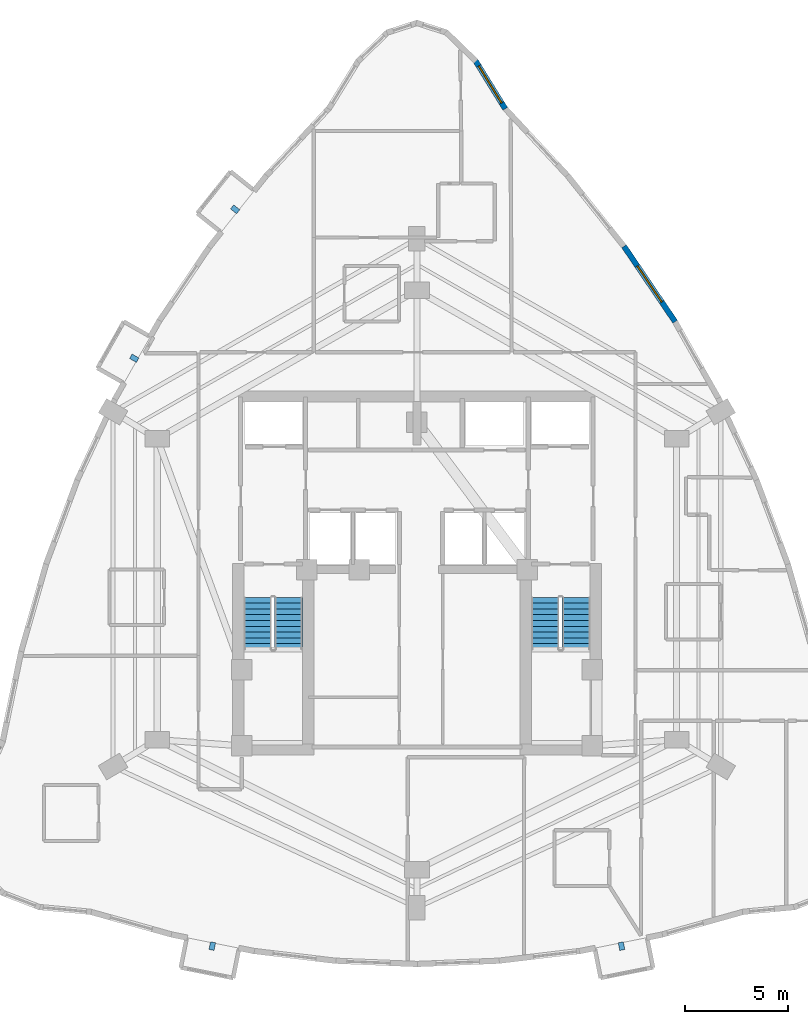
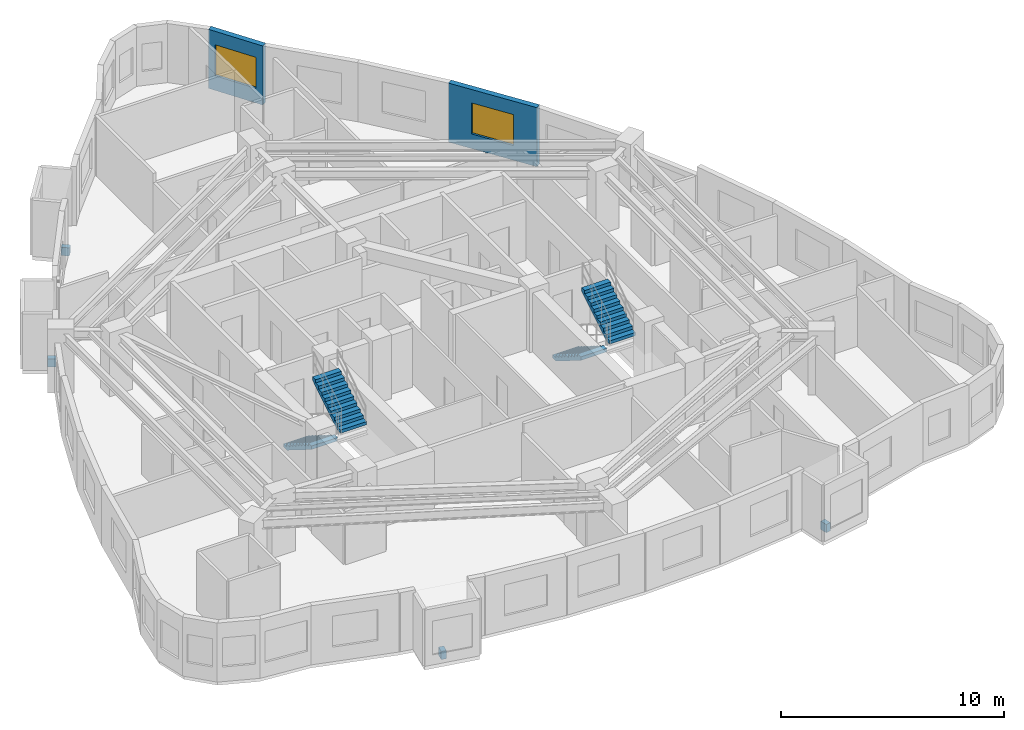
# One storey, part 11 of 12: 4 discrete accessories, 4 stair flights, 2 walls, 2 windows, 2 openings, 2 elements without a shape of their own.
"""IFC4 building model written with IfcOpenShell, lengths in metres."""

from ifc_helpers import new_model, si_unit, direction, frame, frame_2d, origin, origin_2d, place, context, subcontext, project, spatial, polyline, rectangle, outline, extrude, material, layer, layer_set, type_object, element, fill, aggregate, save


model = new_model("IFC4")

# Units and contexts
model_context = context("Model", 3, precision=1e-05, world=origin(), true_north=direction((0.0, 1.0)))
body_context = subcontext(model_context, "Body", "Model", "MODEL_VIEW")
ifc_project = project(units=[si_unit("LENGTHUNIT", "METRE"), si_unit("AREAUNIT", "SQUARE_METRE"), si_unit("VOLUMEUNIT", "CUBIC_METRE"), si_unit("PLANEANGLEUNIT", "RADIAN"), si_unit("MASSUNIT", "GRAM", prefix="KILO")], contexts=[model_context])

# Site, building, storey
site_placement = place(None, origin())
site = spatial("IfcSite", under=ifc_project, at=site_placement, CompositionType="ELEMENT")
building_placement = place(site_placement, origin())
building = spatial("IfcBuilding", under=site, at=building_placement, Name="Miruveldt Soraemaru", CompositionType="ELEMENT")
storey_placement = place(building_placement, frame((0.0, 0.0, 145.89990234375)))
storey = spatial("IfcBuildingStorey", under=building, at=storey_placement, Name="L40", CompositionType="ELEMENT", Elevation=145.89990234375)

# Wall, opening, window
ifc_material_1 = material(Name="Precast concrete C45/55 (45 MPa)", Category="concrete")
ifc_layer = layer(ifc_material_1, 0.27001953125, Name="Precast concrete C45/55 (45 MPa)", Category="concrete")
ifc_layer_set = layer_set([ifc_layer], Name="Precast concrete C45/55 (45 MPa)")
wall_type = type_object("IfcWallType", Name="WALL-EXT-PC270", PredefinedType="SOLIDWALL", material=ifc_layer_set)
wall_1_placement = place(storey_placement, frame((48.284912109375, 66.40576171875, 0.0), z_axis=(0.0, 0.0, 1.0), x_axis=(-0.526060624403, 0.850447070341, 0.0)))
wall_1 = element("IfcWall", 1, at=wall_1_placement, inside=storey, type_object=wall_type, Name="L40 Precast Concrete Facade Wall 1", PredefinedType="SOLIDWALL", context=body_context, shape_type="SweptSolid", body=[
    extrude(rectangle(XDim=2.7734375, YDim=0.27001953125, at=frame_2d((1.38671875, 0.0))), origin(), (0.0, 0.0, 1.0), 3.235107421875),
])
opening_1_placement = place(wall_1_placement, frame((0.3369140625, 0.0, 0.800048828125)))
opening_1 = element("IfcOpeningElement", 2, at=opening_1_placement, cuts=wall_1, Name="Opening WN-1", PredefinedType="OPENING", context=body_context, shape_type="SweptSolid", body=[
    extrude(rectangle(XDim=2.10009765625, YDim=1.699951171875, at=frame_2d((1.050048828125, 0.85009765625))), frame((0.0, 0.14501953125, 0.0), z_axis=(0.0, -1.0, 0.0), x_axis=(1.0, 0.0, 0.0)), (0.0, 0.0, 1.0), 0.2900390625),
])
ifc_material_2 = material(Name="Triple low-e insulated glazing", Category="glass")
window_type = type_object("IfcWindowType", Name="WIN-PUNCH-2100x1700", PartitioningType="SINGLE_PANEL", PredefinedType="WINDOW", material=ifc_material_2)
window_1_placement = place(opening_1_placement, origin())
window_1 = element("IfcWindow", 3, at=window_1_placement, inside=storey, type_object=window_type, Name="L40 Punched Triple-Glazed Window 01.1", OverallHeight=1.699951171875, OverallWidth=2.10009765625, PartitioningType="SINGLE_PANEL", PredefinedType="WINDOW", context=body_context, shape_type="SweptSolid", body=[
    extrude(rectangle(XDim=2.10009765625, YDim=1.699951171875, at=frame_2d((1.050048828125, 0.85009765625))), frame((0.0, 0.030029296875, 0.0), z_axis=(0.0, -1.0, 0.0), x_axis=(1.0, 0.0, 0.0)), (0.0, 0.0, 1.0), 0.06005859375),
])
fill(opening_1, window_1)

wall_2_placement = place(storey_placement, frame((56.52734375, 56.075927734375, 0.0), z_axis=(0.0, 0.0, 1.0), x_axis=(-0.560840818174, 0.82792365389, 0.0)))
wall_2 = element("IfcWall", 4, at=wall_2_placement, inside=storey, type_object=wall_type, Name="L40 Precast Concrete Facade Wall 40", PredefinedType="SOLIDWALL", context=body_context, shape_type="SweptSolid", body=[
    extrude(rectangle(XDim=4.420654296875, YDim=0.27001953125, at=frame_2d((2.21044921875, 0.0))), origin(), (0.0, 0.0, 1.0), 3.235107421875),
])
opening_2_placement = place(wall_2_placement, frame((1.159912109375, 0.0, 0.800048828125)))
opening_2 = element("IfcOpeningElement", 5, at=opening_2_placement, cuts=wall_2, Name="Opening WN-1", PredefinedType="OPENING", context=body_context, shape_type="SweptSolid", body=[
    extrude(rectangle(XDim=2.10009765625, YDim=1.699951171875, at=frame_2d((1.050048828125, 0.85009765625))), frame((0.0, 0.14501953125, 0.0), z_axis=(0.0, -1.0, 0.0), x_axis=(1.0, 0.0, 0.0)), (0.0, 0.0, 1.0), 0.2900390625),
])
window_2_placement = place(opening_2_placement, origin())
window_2 = element("IfcWindow", 6, at=window_2_placement, inside=storey, type_object=window_type, Name="L40 Punched Triple-Glazed Window 40.1", OverallHeight=1.699951171875, OverallWidth=2.10009765625, PartitioningType="SINGLE_PANEL", PredefinedType="WINDOW", context=body_context, shape_type="SweptSolid", body=[
    extrude(rectangle(XDim=2.10009765625, YDim=1.699951171875, at=frame_2d((1.050048828125, 0.85009765625))), frame((0.0, 0.030029296875, 0.0), z_axis=(0.0, -1.0, 0.0), x_axis=(1.0, 0.0, 0.0)), (0.0, 0.0, 1.0), 0.06005859375),
])
fill(opening_2, window_2)

# Stair, stair flights
ifc_material_3 = material(Name="Concrete C40/50 (40 MPa)", Category="concrete")
stair_type = type_object("IfcStairType", Name="STAIR-DL-350", PredefinedType="HALF_TURN_STAIR", material=ifc_material_3)
stair_1_placement = place(storey_placement, origin())
stair_1 = element("IfcStair", 7, at=stair_1_placement, inside=storey, type_object=stair_type, Name="L40 Protected Exit Stair ST-1", PredefinedType="HALF_TURN_STAIR")
stair_flight_type = type_object("IfcStairFlightType", Name="SFL-DL-350", PredefinedType="STRAIGHT", material=ifc_material_3)
stair_flight_1_placement = place(storey_placement, frame((36.27490234375, 42.699951171875, 0.0), z_axis=(0.0, 0.0, 1.0), x_axis=(0.0, -1.0, 0.0)))
stair_flight_1 = element("IfcStairFlight", 8, at=stair_flight_1_placement, type_object=stair_flight_type, Name="ST-1 flight 1", NumberOfRisers=10, NumberOfTreads=9, PredefinedType="STRAIGHT", RiserHeight=0.175, TreadLength=0.28, context=body_context, shape_type="SweptSolid", body=[
    extrude(outline(polyline([(0.0, 0.0), (0.0, 0.175048828125), (0.280029296875, 0.175048828125), (0.280029296875, 0.35009765625), (0.56005859375, 0.35009765625), (0.56005859375, 0.52490234375), (0.840087890625, 0.52490234375), (0.840087890625, 0.699951171875), (1.1201171875, 0.699951171875), (1.1201171875, 0.875), (1.39990234375, 0.875), (1.39990234375, 1.050048828125), (1.679931640625, 1.050048828125), (1.679931640625, 1.22509765625), (1.9599609375, 1.22509765625), (1.9599609375, 1.39990234375), (2.239990234375, 1.39990234375), (2.239990234375, 1.574951171875), (2.52001953125, 1.574951171875), (2.52001953125, 1.75), (2.52001953125, 1.386474609375), (0.3017578125, 0.0), (0.0, 0.0)])), frame((0.0, 0.675048828125, 0.0), z_axis=(0.0, -1.0, 0.0), x_axis=(1.0, 0.0, 0.0)), (0.0, 0.0, 1.0), 1.35009765625),
])
stair_flight_2_placement = place(storey_placement, frame((37.77490234375, 40.179931640625, 1.75), z_axis=(0.0, 0.0, 1.0), x_axis=(0.0, 1.0, 0.0)))
stair_flight_2 = element("IfcStairFlight", 9, at=stair_flight_2_placement, type_object=stair_flight_type, Name="ST-1 flight 2", NumberOfRisers=10, NumberOfTreads=9, PredefinedType="STRAIGHT", RiserHeight=0.175, TreadLength=0.28, context=body_context, shape_type="SweptSolid", body=[
    extrude(outline(polyline([(0.0, 0.0), (0.0, 0.175048828125), (0.280029296875, 0.175048828125), (0.280029296875, 0.35009765625), (0.56005859375, 0.35009765625), (0.56005859375, 0.52490234375), (0.840087890625, 0.52490234375), (0.840087890625, 0.699951171875), (1.1201171875, 0.699951171875), (1.1201171875, 0.875), (1.39990234375, 0.875), (1.39990234375, 1.050048828125), (1.679931640625, 1.050048828125), (1.679931640625, 1.22509765625), (1.9599609375, 1.22509765625), (1.9599609375, 1.39990234375), (2.239990234375, 1.39990234375), (2.239990234375, 1.574951171875), (2.52001953125, 1.574951171875), (2.52001953125, 1.75), (2.52001953125, 1.386474609375), (0.3017578125, 0.0), (0.0, 0.0)])), frame((0.0, 0.675048828125, 0.0), z_axis=(0.0, -1.0, 0.0), x_axis=(1.0, 0.0, 0.0)), (0.0, 0.0, 1.0), 1.35009765625),
])
aggregate(stair_1, [stair_flight_1, stair_flight_2])

stair_2_placement = place(storey_placement, origin())
stair_2 = element("IfcStair", 10, at=stair_2_placement, inside=storey, type_object=stair_type, Name="L40 Protected Exit Stair ST-2", PredefinedType="HALF_TURN_STAIR")
stair_flight_3_placement = place(storey_placement, frame((50.22509765625, 42.699951171875, 0.0), z_axis=(0.0, 0.0, 1.0), x_axis=(0.0, -1.0, 0.0)))
stair_flight_3 = element("IfcStairFlight", 11, at=stair_flight_3_placement, type_object=stair_flight_type, Name="ST-2 flight 1", NumberOfRisers=10, NumberOfTreads=9, PredefinedType="STRAIGHT", RiserHeight=0.175, TreadLength=0.28, context=body_context, shape_type="SweptSolid", body=[
    extrude(outline(polyline([(0.0, 0.0), (0.0, 0.175048828125), (0.280029296875, 0.175048828125), (0.280029296875, 0.35009765625), (0.56005859375, 0.35009765625), (0.56005859375, 0.52490234375), (0.840087890625, 0.52490234375), (0.840087890625, 0.699951171875), (1.1201171875, 0.699951171875), (1.1201171875, 0.875), (1.39990234375, 0.875), (1.39990234375, 1.050048828125), (1.679931640625, 1.050048828125), (1.679931640625, 1.22509765625), (1.9599609375, 1.22509765625), (1.9599609375, 1.39990234375), (2.239990234375, 1.39990234375), (2.239990234375, 1.574951171875), (2.52001953125, 1.574951171875), (2.52001953125, 1.75), (2.52001953125, 1.386474609375), (0.3017578125, 0.0), (0.0, 0.0)])), frame((0.0, 0.675048828125, 0.0), z_axis=(0.0, -1.0, 0.0), x_axis=(1.0, 0.0, 0.0)), (0.0, 0.0, 1.0), 1.35009765625),
])
stair_flight_4_placement = place(storey_placement, frame((51.72509765625, 40.179931640625, 1.75), z_axis=(0.0, 0.0, 1.0), x_axis=(0.0, 1.0, 0.0)))
stair_flight_4 = element("IfcStairFlight", 12, at=stair_flight_4_placement, type_object=stair_flight_type, Name="ST-2 flight 2", NumberOfRisers=10, NumberOfTreads=9, PredefinedType="STRAIGHT", RiserHeight=0.175, TreadLength=0.28, context=body_context, shape_type="SweptSolid", body=[
    extrude(outline(polyline([(0.0, 0.0), (0.0, 0.175048828125), (0.280029296875, 0.175048828125), (0.280029296875, 0.35009765625), (0.56005859375, 0.35009765625), (0.56005859375, 0.52490234375), (0.840087890625, 0.52490234375), (0.840087890625, 0.699951171875), (1.1201171875, 0.699951171875), (1.1201171875, 0.875), (1.39990234375, 0.875), (1.39990234375, 1.050048828125), (1.679931640625, 1.050048828125), (1.679931640625, 1.22509765625), (1.9599609375, 1.22509765625), (1.9599609375, 1.39990234375), (2.239990234375, 1.39990234375), (2.239990234375, 1.574951171875), (2.52001953125, 1.574951171875), (2.52001953125, 1.75), (2.52001953125, 1.386474609375), (0.3017578125, 0.0), (0.0, 0.0)])), frame((0.0, 0.675048828125, 0.0), z_axis=(0.0, -1.0, 0.0), x_axis=(1.0, 0.0, 0.0)), (0.0, 0.0, 1.0), 1.35009765625),
])
aggregate(stair_2, [stair_flight_3, stair_flight_4])

# Discrete accessories
ifc_material_4 = material(Name="Steel SM355 (355 MPa)", Category="steel")
discrete_accessory_type = type_object("IfcDiscreteAccessoryType", Name="ACC-BAY-BRK", PredefinedType="BRACKET", material=ifc_material_4)
for number, where, z_axis, x_axis, name in (
    (13, (30.28662109375, 54.3037109375, -0.7099609375), (0.0, 0.0, 1.0), (-0.869830943614, 0.493349905778, 0.0), "L40 Bay Window Cantilever Bracket 1"),
    (14, (34.07275390625, 25.78271484375, -0.7099609375), (0.0, 0.0, 1.0), (-0.19613440513, -0.980577021516, 0.0), "L40 Bay Window Cantilever Bracket 2"),
    (15, (53.92724609375, 25.78271484375, -0.7099609375), (0.0, 0.0, 1.0), (0.19613440513, -0.980577021516, 0.0), "L40 Bay Window Cantilever Bracket 3"),
    (16, (35.1806640625, 61.5283203125, -0.7099609375), (0.0, 0.0, 1.0), (-0.781738199863, 0.623606756598, 0.0), "L40 Bay Window Cantilever Bracket 4"),
):
    element("IfcDiscreteAccessory", number, at=place(storey_placement, frame(where, z_axis=z_axis, x_axis=x_axis)), inside=storey, type_object=discrete_accessory_type, Name=name, PredefinedType="BRACKET", context=body_context, shape_type="SweptSolid", body=[
        extrude(rectangle(XDim=0.3798828125, YDim=0.25, at=origin_2d()), origin(), (0.0, 0.0, 1.0), 0.449951171875),
    ])

save(model, "model.ifc")
